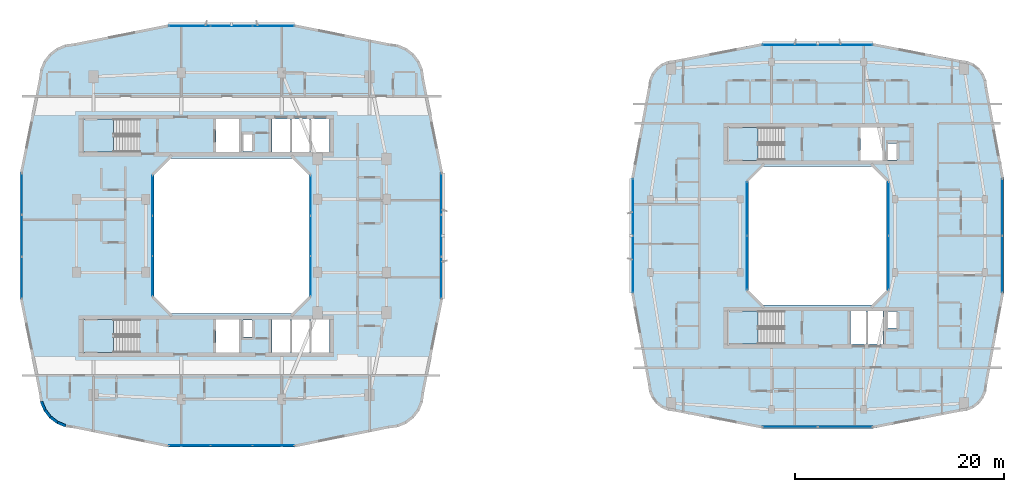
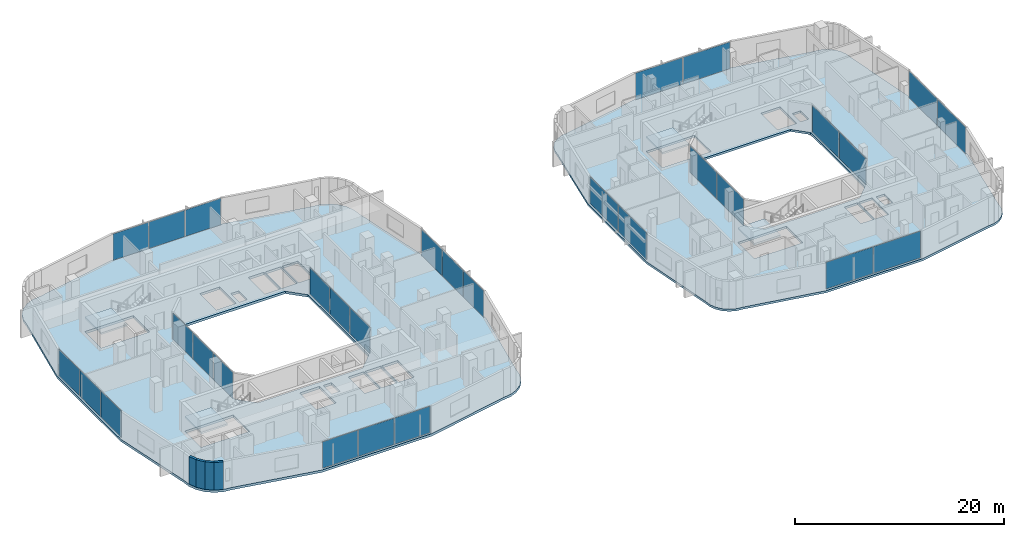
# One storey, part 11 of 26: 30 plates, 6 slabs, 4 walls, 16 elements without a shape of their own.
"""IFC4 building model written with IfcOpenShell, lengths in metres."""

import ifcopenshell
import ifcopenshell.guid

model = None  # the IFC model being written
_history = None  # IfcOwnerHistory: only IFC2X3 demands one
_inside = {}  # id of a spatial element -> (the spatial element, [elements in it])
_under = {}  # id of a project, library or spatial element -> (it, [spatial elements below it])
_declared = {}  # id of a project -> (the project, [libraries it declares])
_typed = {}  # id of a type object -> (the type object, [elements of that type])
_made_of = {}  # id of a material, layer set ... -> (it, [elements and type objects made of it])


def new_model(schema):
    """Start an empty IFC model of exactly this schema.

    Asked for "IFC4X3", IfcOpenShell would pick the latest addendum, in which some entities
    have other attributes; the version numbers below select the first issue.
    IFC2X3 requires an IfcOwnerHistory on every rooted entity: one is made here for all.
    """
    global model, _history
    if schema == "IFC4X3":
        model = ifcopenshell.file(schema_version=(4, 3, 0, 0))
    else:
        model = ifcopenshell.file(schema=schema)
    _inside.clear()
    _under.clear()
    _declared.clear()
    _typed.clear()
    _made_of.clear()
    _history = None
    if model.schema == "IFC2X3":
        org = make("IfcOrganization", Name="unknown")
        user = make(
            "IfcPersonAndOrganization",
            ThePerson=make("IfcPerson", FamilyName="unknown"),
            TheOrganization=org,
        )
        app = make(
            "IfcApplication",
            ApplicationDeveloper=org,
            Version="unknown",
            ApplicationFullName="unknown",
            ApplicationIdentifier="unknown",
        )
        _history = make(
            "IfcOwnerHistory",
            OwningUser=user,
            OwningApplication=app,
            ChangeAction="ADDED",
            CreationDate=0,
        )
    return model


def make(cls, **values):
    """One entity of the class cls with the attributes given. An attribute that is None is left unset."""
    return model.create_entity(
        cls, **{name: value for name, value in values.items() if value is not None}
    )


def rooted(cls, **values):
    """An entity with a GlobalId (a new one), such as an element, a storey or a relation."""
    return make(cls, GlobalId=ifcopenshell.guid.new(), OwnerHistory=_history, **values)


def si_unit(unit_type, name, prefix=None):
    """IfcSIUnit, for example si_unit("LENGTHUNIT", "METRE", prefix="MILLI")."""
    return make("IfcSIUnit", UnitType=unit_type, Prefix=prefix, Name=name)


def derived_unit(unit_type, elements):
    """IfcDerivedUnit: a product of units, each with its exponent."""
    return make(
        "IfcDerivedUnit",
        Elements=[
            make("IfcDerivedUnitElement", Unit=unit, Exponent=power)
            for unit, power in elements
        ],
        UnitType=unit_type,
    )


def assignment(units):
    """IfcUnitAssignment: the units of a project."""
    return None if units is None else make("IfcUnitAssignment", Units=units)


def point(xyz):
    """IfcCartesianPoint."""
    return None if xyz is None else make("IfcCartesianPoint", Coordinates=xyz)


def direction(xyz):
    """IfcDirection."""
    return None if xyz is None else make("IfcDirection", DirectionRatios=xyz)


def frame(location, z_axis=None, x_axis=None):
    """IfcAxis2Placement3D, a coordinate frame: its origin and axes. An axis left out is left unset."""
    return make(
        "IfcAxis2Placement3D",
        Location=point(location),
        Axis=direction(z_axis),
        RefDirection=direction(x_axis),
    )


def frame_2d(location, x_axis=None):
    """IfcAxis2Placement2D, a coordinate frame in the plane: its origin and x axis."""
    return make(
        "IfcAxis2Placement2D", Location=point(location), RefDirection=direction(x_axis)
    )


def origin():
    """The frame at (0, 0, 0) with its axes left unset."""
    return frame((0.0, 0.0, 0.0))


def origin_2d():
    """The frame at (0, 0) in the plane with its x axis left unset."""
    return frame_2d((0.0, 0.0))


def place(relative_to, where):
    """IfcLocalPlacement: puts the frame where relative to a parent placement (None: the world)."""
    return make(
        "IfcLocalPlacement", PlacementRelTo=relative_to, RelativePlacement=where
    )


def context(
    kind, dimensions, precision=None, world=None, true_north=None, identifier=None
):
    """IfcGeometricRepresentationContext, for example the 3D "Model" context."""
    return make(
        "IfcGeometricRepresentationContext",
        ContextIdentifier=identifier,
        ContextType=kind,
        CoordinateSpaceDimension=dimensions,
        Precision=precision,
        WorldCoordinateSystem=world,
        TrueNorth=true_north,
    )


def subcontext(parent, identifier, kind, view, scale=None):
    """IfcGeometricRepresentationSubContext, for example "Body" below "Model"."""
    return make(
        "IfcGeometricRepresentationSubContext",
        ContextIdentifier=identifier,
        ContextType=kind,
        ParentContext=parent,
        TargetScale=scale,
        TargetView=view,
    )


def project(units=None, contexts=None):
    """IfcProject with its units and contexts."""
    return rooted(
        "IfcProject",
        Name="project",
        RepresentationContexts=contexts,
        UnitsInContext=assignment(units),
    )


def spatial(cls, under=None, at=None, **own):
    """A site, building, storey or space (cls), placed at a placement, below another one or the project."""
    s = rooted(cls, ObjectPlacement=at, **own)
    if under is not None:
        _under.setdefault(under.id(), (under, []))[1].append(s)
    return s


def polyline(points):
    """IfcPolyline through the points."""
    return make("IfcPolyline", Points=[point(p) for p in points])


def profile(cls, at=None, kind="AREA", **sizes):
    """A parametric profile (cls). Its sizes go by their IFC names, for example OverallWidth=200.0."""
    return make(cls, ProfileType=kind, Position=at, **sizes)


def rectangle(**sizes):
    """IfcRectangleProfileDef."""
    return profile("IfcRectangleProfileDef", **sizes)


def outline(outer, holes=None, kind="AREA"):
    """IfcArbitraryClosedProfileDef: a profile drawn as a closed curve; with holes, ...WithVoids."""
    if holes is None:
        return make("IfcArbitraryClosedProfileDef", ProfileType=kind, OuterCurve=outer)
    return make(
        "IfcArbitraryProfileDefWithVoids",
        ProfileType=kind,
        OuterCurve=outer,
        InnerCurves=holes,
    )


def extrude(swept, where, along, depth):
    """IfcExtrudedAreaSolid: the profile swept, set in the frame where, extruded along a direction by depth."""
    return make(
        "IfcExtrudedAreaSolid",
        SweptArea=swept,
        Position=where,
        ExtrudedDirection=direction(along),
        Depth=depth,
    )


def shape(context_of_items, identifier, shape_type, items):
    """IfcShapeRepresentation: the items that make up one representation, for example the "Body"."""
    return make(
        "IfcShapeRepresentation",
        ContextOfItems=context_of_items,
        RepresentationIdentifier=identifier,
        RepresentationType=shape_type,
        Items=items,
    )


def material(Name=None, Category=None):
    """IfcMaterial."""
    return make("IfcMaterial", Name=Name, Category=Category)


def layer(
    of_material, thickness, ventilated=None, Name=None, Category=None, Priority=None
):
    """IfcMaterialLayer: one layer of a wall or slab, of a material (None: an air gap)."""
    return make(
        "IfcMaterialLayer",
        Material=of_material,
        LayerThickness=thickness,
        IsVentilated=ventilated,
        Name=Name,
        Category=Category,
        Priority=Priority,
    )


def layer_set(layers, Name=None):
    """IfcMaterialLayerSet."""
    return make("IfcMaterialLayerSet", MaterialLayers=layers, LayerSetName=Name)


def made_of(thing, what):
    """Note that an element or type object is made of a material, layer set ...; save() writes the relation."""
    if what is not None:
        _made_of.setdefault(what.id(), (what, []))[1].append(thing)
    return thing


def type_object(cls, material=None, **own):
    """A type object (cls), such as IfcWallType, which elements share."""
    return made_of(rooted(cls, **own), material)


def element(
    cls,
    number,
    at=None,
    inside=None,
    cuts=None,
    type_object=None,
    material=None,
    context=None,
    identifier="Body",
    shape_type=None,
    held_by="IfcProductDefinitionShape",
    body=None,
    shapes=None,
    **own,
):
    """One element of the class cls, such as IfcWall. Its Tag is "e" and its number.

    at: its placement. inside: the storey or other place that contains it. cuts: it is an
    opening in that element (IfcRelVoidsElement). A single representation is given by context,
    identifier, shape_type and body (its items); several are given by shapes. held_by: the class
    of the entity that holds the representations. save() writes the other relations.
    """
    e = rooted(cls, Tag="e%d" % number, ObjectPlacement=at, **own)
    if body is not None:
        shapes = [shape(context, identifier, shape_type, body)]
    if shapes is not None:
        e.Representation = make(held_by, Representations=shapes)
    if inside is not None:
        _inside.setdefault(inside.id(), (inside, []))[1].append(e)
    if cuts is not None:
        rooted(
            "IfcRelVoidsElement", RelatingBuildingElement=cuts, RelatedOpeningElement=e
        )
    if type_object is not None:
        _typed.setdefault(type_object.id(), (type_object, []))[1].append(e)
    return made_of(e, material)


def aggregate(whole, parts):
    """IfcRelAggregates: a whole, such as a stair, and the parts it consists of."""
    return rooted("IfcRelAggregates", RelatingObject=whole, RelatedObjects=parts)


def save(model, path):
    """Write the relations noted so far, then the file.

    IfcRelAggregates (storeys below a building ...), IfcRelContainedInSpatialStructure (elements
    in a storey), IfcRelDefinesByType, IfcRelAssociatesMaterial and IfcRelDeclares: one each for
    every whole, place, type object, material and project.
    """
    for whole, parts in _under.values():
        aggregate(whole, parts)
    for where, things in _inside.values():
        rooted(
            "IfcRelContainedInSpatialStructure",
            RelatedElements=things,
            RelatingStructure=where,
        )
    for kind, things in _typed.values():
        rooted("IfcRelDefinesByType", RelatedObjects=things, RelatingType=kind)
    for what, things in _made_of.values():
        rooted("IfcRelAssociatesMaterial", RelatedObjects=things, RelatingMaterial=what)
    for by, libraries in _declared.values():
        rooted("IfcRelDeclares", RelatingContext=by, RelatedDefinitions=libraries)
    model.write(path)


model = new_model("IFC4")

# Units and contexts
model_context = context("Model", 3, precision=1e-05, world=origin(), true_north=direction((0.0, 1.0)))
body_context = subcontext(model_context, "Body", "Model", "MODEL_VIEW")
ifc_project = project(units=[si_unit("LENGTHUNIT", "METRE"), si_unit("AREAUNIT", "SQUARE_METRE"), si_unit("VOLUMEUNIT", "CUBIC_METRE"), si_unit("PLANEANGLEUNIT", "RADIAN"), si_unit("MASSUNIT", "GRAM", prefix="KILO"), derived_unit("THERMALTRANSMITTANCEUNIT", [(si_unit("POWERUNIT", "WATT"), 1), (si_unit("LENGTHUNIT", "METRE"), -2), (si_unit("THERMODYNAMICTEMPERATUREUNIT", "KELVIN"), -1)])], contexts=[model_context])

# Site, building, storey
site_placement = place(None, origin())
site = spatial("IfcSite", under=ifc_project, at=site_placement, CompositionType="ELEMENT")
building_placement = place(site_placement, origin())
building = spatial("IfcBuilding", under=site, at=building_placement, Name="Kivonza Crest Hotel", CompositionType="ELEMENT")
storey_placement = place(building_placement, frame((0.0, 0.0, 102.0)))
storey = spatial("IfcBuildingStorey", under=building, at=storey_placement, Name="L27", CompositionType="ELEMENT", Elevation=102.0)

# Curtain wall, plates
ifc_material_1 = material(Name="Anodised bronze aluminium and low-E double glazing", Category="aluminium")
ifc_layer_1 = layer(ifc_material_1, 0.179931640625)
ifc_layer_set_1 = layer_set([ifc_layer_1], Name="Anodised bronze aluminium and low-E double glazing")
curtain_wall_type_1 = type_object("IfcCurtainWallType", Name="CW-SYS-2", PredefinedType="NOTDEFINED", material=ifc_layer_set_1)
curtain_wall_1_placement = place(storey_placement, origin())
curtain_wall_1 = element("IfcCurtainWall", 1, at=curtain_wall_1_placement, inside=storey, type_object=curtain_wall_type_1, Name="L27 unitised curtain wall CW-T1-L27-08", PredefinedType="NOTDEFINED")
ifc_material_2 = material(Name="Solar-control low-E double glazing", Category="glass")
ifc_layer_2 = layer(ifc_material_2, 0.028076171875)
ifc_layer_set_2 = layer_set([ifc_layer_2], Name="Solar-control low-E double glazing")
plate_type = type_object("IfcPlateType", Name="CW-PNL-28", PredefinedType="CURTAIN_PANEL", material=ifc_layer_set_2)
plate_1_placement = place(storey_placement, frame((17.0029296875, 4.9599609375, 0.06494140625), z_axis=(0.0, 0.0, 1.0), x_axis=(1.0, 0.0, 0.0)))
plate_1 = element("IfcPlate", 2, at=plate_1_placement, type_object=plate_type, Name="CW-2 panel 1.1", PredefinedType="CURTAIN_PANEL", context=body_context, shape_type="SweptSolid", body=[
    extrude(rectangle(XDim=3.915771484375, YDim=0.028076171875, at=origin_2d()), origin(), (0.0, 0.0, 1.0), 3.090087890625),
])
plate_2_placement = place(storey_placement, frame((21.0, 4.9599609375, 0.06494140625), z_axis=(0.0, 0.0, 1.0), x_axis=(1.0, 0.0, 0.0)))
plate_2 = element("IfcPlate", 3, at=plate_2_placement, type_object=plate_type, Name="CW-2 panel 2.1", PredefinedType="CURTAIN_PANEL", context=body_context, shape_type="SweptSolid", body=[
    extrude(rectangle(XDim=3.9482421875, YDim=0.028076171875, at=origin_2d()), origin(), (0.0, 0.0, 1.0), 3.090087890625),
])
plate_3_placement = place(storey_placement, frame((24.9970703125, 4.9599609375, 0.06494140625), z_axis=(0.0, 0.0, 1.0), x_axis=(1.0, 0.0, 0.0)))
plate_3 = element("IfcPlate", 4, at=plate_3_placement, type_object=plate_type, Name="CW-2 panel 3.1", PredefinedType="CURTAIN_PANEL", context=body_context, shape_type="SweptSolid", body=[
    extrude(rectangle(XDim=3.915771484375, YDim=0.028076171875, at=origin_2d()), origin(), (0.0, 0.0, 1.0), 3.090087890625),
])
aggregate(curtain_wall_1, [plate_1, plate_2, plate_3])

curtain_wall_2_placement = place(storey_placement, origin())
curtain_wall_2 = element("IfcCurtainWall", 5, at=curtain_wall_2_placement, inside=storey, type_object=curtain_wall_type_1, Name="L27 unitised curtain wall CW-T1-L27-17", PredefinedType="NOTDEFINED")
plate_4_placement = place(storey_placement, frame((41.0400390625, 21.0029296875, 0.06494140625), z_axis=(0.0, 0.0, 1.0), x_axis=(0.0, 1.0, 0.0)))
plate_4 = element("IfcPlate", 6, at=plate_4_placement, type_object=plate_type, Name="CW-2 panel 1.1", PredefinedType="CURTAIN_PANEL", context=body_context, shape_type="SweptSolid", body=[
    extrude(rectangle(XDim=3.915771484375, YDim=0.028076171875, at=origin_2d()), origin(), (0.0, 0.0, 1.0), 3.090087890625),
])
plate_5_placement = place(storey_placement, frame((41.0400390625, 25.0, 0.06494140625), z_axis=(0.0, 0.0, 1.0), x_axis=(0.0, 1.0, 0.0)))
plate_5 = element("IfcPlate", 7, at=plate_5_placement, type_object=plate_type, Name="CW-2 panel 2.1", PredefinedType="CURTAIN_PANEL", context=body_context, shape_type="SweptSolid", body=[
    extrude(rectangle(XDim=3.9482421875, YDim=0.028076171875, at=origin_2d()), origin(), (0.0, 0.0, 1.0), 3.090087890625),
])
plate_6_placement = place(storey_placement, frame((41.0400390625, 28.9970703125, 0.06494140625), z_axis=(0.0, 0.0, 1.0), x_axis=(0.0, 1.0, 0.0)))
plate_6 = element("IfcPlate", 8, at=plate_6_placement, type_object=plate_type, Name="CW-2 panel 3.1", PredefinedType="CURTAIN_PANEL", context=body_context, shape_type="SweptSolid", body=[
    extrude(rectangle(XDim=3.915771484375, YDim=0.028076171875, at=origin_2d()), origin(), (0.0, 0.0, 1.0), 3.090087890625),
])
aggregate(curtain_wall_2, [plate_4, plate_5, plate_6])

curtain_wall_3_placement = place(storey_placement, origin())
curtain_wall_3 = element("IfcCurtainWall", 9, at=curtain_wall_3_placement, inside=storey, type_object=curtain_wall_type_1, Name="L27 unitised curtain wall CW-T1-L27-26", PredefinedType="NOTDEFINED")
plate_7_placement = place(storey_placement, frame((24.9970703125, 45.0400390625, 0.06494140625), z_axis=(0.0, 0.0, 1.0), x_axis=(-1.0, 0.0, 0.0)))
plate_7 = element("IfcPlate", 10, at=plate_7_placement, type_object=plate_type, Name="CW-2 panel 1.1", PredefinedType="CURTAIN_PANEL", context=body_context, shape_type="SweptSolid", body=[
    extrude(rectangle(XDim=3.915771484375, YDim=0.028076171875, at=origin_2d()), origin(), (0.0, 0.0, 1.0), 3.090087890625),
])
plate_8_placement = place(storey_placement, frame((21.0, 45.0400390625, 0.06494140625), z_axis=(0.0, 0.0, 1.0), x_axis=(-1.0, 0.0, 0.0)))
plate_8 = element("IfcPlate", 11, at=plate_8_placement, type_object=plate_type, Name="CW-2 panel 2.1", PredefinedType="CURTAIN_PANEL", context=body_context, shape_type="SweptSolid", body=[
    extrude(rectangle(XDim=3.9482421875, YDim=0.028076171875, at=origin_2d()), origin(), (0.0, 0.0, 1.0), 3.090087890625),
])
plate_9_placement = place(storey_placement, frame((17.0029296875, 45.0400390625, 0.06494140625), z_axis=(0.0, 0.0, 1.0), x_axis=(-1.0, 0.0, 0.0)))
plate_9 = element("IfcPlate", 12, at=plate_9_placement, type_object=plate_type, Name="CW-2 panel 3.1", PredefinedType="CURTAIN_PANEL", context=body_context, shape_type="SweptSolid", body=[
    extrude(rectangle(XDim=3.915771484375, YDim=0.028076171875, at=origin_2d()), origin(), (0.0, 0.0, 1.0), 3.090087890625),
])
aggregate(curtain_wall_3, [plate_7, plate_8, plate_9])

curtain_wall_4_placement = place(storey_placement, origin())
curtain_wall_4 = element("IfcCurtainWall", 13, at=curtain_wall_4_placement, inside=storey, type_object=curtain_wall_type_1, Name="L27 unitised curtain wall CW-T1-L27-35", PredefinedType="NOTDEFINED")
plate_10_placement = place(storey_placement, frame((0.9599609375, 28.9970703125, 0.06494140625), z_axis=(0.0, 0.0, 1.0), x_axis=(0.0, -1.0, 0.0)))
plate_10 = element("IfcPlate", 14, at=plate_10_placement, type_object=plate_type, Name="CW-2 panel 1.1", PredefinedType="CURTAIN_PANEL", context=body_context, shape_type="SweptSolid", body=[
    extrude(rectangle(XDim=3.915771484375, YDim=0.028076171875, at=origin_2d()), origin(), (0.0, 0.0, 1.0), 3.090087890625),
])
plate_11_placement = place(storey_placement, frame((0.9599609375, 25.0, 0.06494140625), z_axis=(0.0, 0.0, 1.0), x_axis=(0.0, -1.0, 0.0)))
plate_11 = element("IfcPlate", 15, at=plate_11_placement, type_object=plate_type, Name="CW-2 panel 2.1", PredefinedType="CURTAIN_PANEL", context=body_context, shape_type="SweptSolid", body=[
    extrude(rectangle(XDim=3.9482421875, YDim=0.028076171875, at=origin_2d()), origin(), (0.0, 0.0, 1.0), 3.090087890625),
])
plate_12_placement = place(storey_placement, frame((0.9599609375, 21.0029296875, 0.06494140625), z_axis=(0.0, 0.0, 1.0), x_axis=(0.0, -1.0, 0.0)))
plate_12 = element("IfcPlate", 16, at=plate_12_placement, type_object=plate_type, Name="CW-2 panel 3.1", PredefinedType="CURTAIN_PANEL", context=body_context, shape_type="SweptSolid", body=[
    extrude(rectangle(XDim=3.915771484375, YDim=0.028076171875, at=origin_2d()), origin(), (0.0, 0.0, 1.0), 3.090087890625),
])
aggregate(curtain_wall_4, [plate_10, plate_11, plate_12])

ifc_layer_3 = layer(ifc_material_1, 0.159912109375)
ifc_layer_set_3 = layer_set([ifc_layer_3], Name="Anodised bronze aluminium and low-E double glazing")
curtain_wall_type_2 = type_object("IfcCurtainWallType", Name="CW-SYS-5", PredefinedType="NOTDEFINED", material=ifc_layer_set_3)
curtain_wall_5_placement = place(storey_placement, origin())
curtain_wall_5 = element("IfcCurtainWall", 17, at=curtain_wall_5_placement, inside=storey, type_object=curtain_wall_type_2, Name="L27 unitised curtain wall CW-WELL-T1-L27-3", PredefinedType="NOTDEFINED")
plate_13_placement = place(storey_placement, frame((28.56005859375, 21.149658203125, 0.06494140625), z_axis=(0.0, 0.0, 1.0), x_axis=(0.0, 1.0, 0.0)))
plate_13 = element("IfcPlate", 18, at=plate_13_placement, type_object=plate_type, Name="CW-5 panel 1.1", PredefinedType="CURTAIN_PANEL", context=body_context, shape_type="SweptSolid", body=[
    extrude(rectangle(XDim=3.769287109375, YDim=0.028076171875, at=origin_2d()), origin(), (0.0, 0.0, 1.0), 3.090087890625),
])
plate_14_placement = place(storey_placement, frame((28.56005859375, 25.0, 0.06494140625), z_axis=(0.0, 0.0, 1.0), x_axis=(0.0, 1.0, 0.0)))
plate_14 = element("IfcPlate", 19, at=plate_14_placement, type_object=plate_type, Name="CW-5 panel 2.1", PredefinedType="CURTAIN_PANEL", context=body_context, shape_type="SweptSolid", body=[
    extrude(rectangle(XDim=3.8017578125, YDim=0.028076171875, at=origin_2d()), origin(), (0.0, 0.0, 1.0), 3.090087890625),
])
plate_15_placement = place(storey_placement, frame((28.56005859375, 28.850341796875, 0.06494140625), z_axis=(0.0, 0.0, 1.0), x_axis=(0.0, 1.0, 0.0)))
plate_15 = element("IfcPlate", 20, at=plate_15_placement, type_object=plate_type, Name="CW-5 panel 3.1", PredefinedType="CURTAIN_PANEL", context=body_context, shape_type="SweptSolid", body=[
    extrude(rectangle(XDim=3.769287109375, YDim=0.028076171875, at=origin_2d()), origin(), (0.0, 0.0, 1.0), 3.090087890625),
])
aggregate(curtain_wall_5, [plate_13, plate_14, plate_15])

curtain_wall_6_placement = place(storey_placement, origin())
curtain_wall_6 = element("IfcCurtainWall", 21, at=curtain_wall_6_placement, inside=storey, type_object=curtain_wall_type_2, Name="L27 unitised curtain wall CW-WELL-T1-L27-7", PredefinedType="NOTDEFINED")
plate_16_placement = place(storey_placement, frame((13.43994140625, 28.850341796875, 0.06494140625), z_axis=(0.0, 0.0, 1.0), x_axis=(0.0, -1.0, 0.0)))
plate_16 = element("IfcPlate", 22, at=plate_16_placement, type_object=plate_type, Name="CW-5 panel 1.1", PredefinedType="CURTAIN_PANEL", context=body_context, shape_type="SweptSolid", body=[
    extrude(rectangle(XDim=3.769287109375, YDim=0.028076171875, at=origin_2d()), origin(), (0.0, 0.0, 1.0), 3.090087890625),
])
plate_17_placement = place(storey_placement, frame((13.43994140625, 25.0, 0.06494140625), z_axis=(0.0, 0.0, 1.0), x_axis=(0.0, -1.0, 0.0)))
plate_17 = element("IfcPlate", 23, at=plate_17_placement, type_object=plate_type, Name="CW-5 panel 2.1", PredefinedType="CURTAIN_PANEL", context=body_context, shape_type="SweptSolid", body=[
    extrude(rectangle(XDim=3.8017578125, YDim=0.028076171875, at=origin_2d()), origin(), (0.0, 0.0, 1.0), 3.090087890625),
])
plate_18_placement = place(storey_placement, frame((13.43994140625, 21.149658203125, 0.06494140625), z_axis=(0.0, 0.0, 1.0), x_axis=(0.0, -1.0, 0.0)))
plate_18 = element("IfcPlate", 24, at=plate_18_placement, type_object=plate_type, Name="CW-5 panel 3.1", PredefinedType="CURTAIN_PANEL", context=body_context, shape_type="SweptSolid", body=[
    extrude(rectangle(XDim=3.769287109375, YDim=0.028076171875, at=origin_2d()), origin(), (0.0, 0.0, 1.0), 3.090087890625),
])
aggregate(curtain_wall_6, [plate_16, plate_17, plate_18])

ifc_layer_4 = layer(ifc_material_1, 0.179931640625)
ifc_layer_set_4 = layer_set([ifc_layer_4], Name="Anodised bronze aluminium and low-E double glazing")
curtain_wall_type_3 = type_object("IfcCurtainWallType", Name="CW-SYS-4", PredefinedType="NOTDEFINED", material=ifc_layer_set_4)
curtain_wall_7_placement = place(storey_placement, origin())
curtain_wall_7 = element("IfcCurtainWall", 25, at=curtain_wall_7_placement, inside=storey, type_object=curtain_wall_type_3, Name="L27 unitised curtain wall CW-T2-L27-08", PredefinedType="NOTDEFINED")
plate_19_placement = place(storey_placement, frame((74.3662109375, 6.760009765625, 0.06494140625), z_axis=(0.0, 0.0, 1.0), x_axis=(1.0, 0.0, 0.0)))
plate_19 = element("IfcPlate", 26, at=plate_19_placement, type_object=plate_type, Name="CW-4 panel 1.1", PredefinedType="CURTAIN_PANEL", context=body_context, shape_type="SweptSolid", body=[
    extrude(rectangle(XDim=5.202392578125, YDim=0.028076171875, at=origin_2d()), origin(), (0.0, 0.0, 1.0), 3.1201171875),
])
plate_20_placement = place(storey_placement, frame((79.6337890625, 6.760009765625, 0.06494140625), z_axis=(0.0, 0.0, 1.0), x_axis=(1.0, 0.0, 0.0)))
plate_20 = element("IfcPlate", 27, at=plate_20_placement, type_object=plate_type, Name="CW-4 panel 2.1", PredefinedType="CURTAIN_PANEL", context=body_context, shape_type="SweptSolid", body=[
    extrude(rectangle(XDim=5.202392578125, YDim=0.028076171875, at=origin_2d()), origin(), (0.0, 0.0, 1.0), 3.1201171875),
])
aggregate(curtain_wall_7, [plate_19, plate_20])

curtain_wall_8_placement = place(storey_placement, origin())
curtain_wall_8 = element("IfcCurtainWall", 28, at=curtain_wall_8_placement, inside=storey, type_object=curtain_wall_type_3, Name="L27 unitised curtain wall CW-T2-L27-17", PredefinedType="NOTDEFINED")
plate_21_placement = place(storey_placement, frame((94.639892578125, 22.2763671875, 0.06494140625), z_axis=(0.0, 0.0, 1.0), x_axis=(0.0, 1.0, 0.0)))
plate_21 = element("IfcPlate", 29, at=plate_21_placement, type_object=plate_type, Name="CW-4 panel 1.1", PredefinedType="CURTAIN_PANEL", context=body_context, shape_type="SweptSolid", body=[
    extrude(rectangle(XDim=5.382568359375, YDim=0.028076171875, at=origin_2d()), origin(), (0.0, 0.0, 1.0), 3.1201171875),
])
plate_22_placement = place(storey_placement, frame((94.639892578125, 27.7236328125, 0.06494140625), z_axis=(0.0, 0.0, 1.0), x_axis=(0.0, 1.0, 0.0)))
plate_22 = element("IfcPlate", 30, at=plate_22_placement, type_object=plate_type, Name="CW-4 panel 2.1", PredefinedType="CURTAIN_PANEL", context=body_context, shape_type="SweptSolid", body=[
    extrude(rectangle(XDim=5.382568359375, YDim=0.028076171875, at=origin_2d()), origin(), (0.0, 0.0, 1.0), 3.1201171875),
])
aggregate(curtain_wall_8, [plate_21, plate_22])

curtain_wall_9_placement = place(storey_placement, origin())
curtain_wall_9 = element("IfcCurtainWall", 31, at=curtain_wall_9_placement, inside=storey, type_object=curtain_wall_type_3, Name="L27 unitised curtain wall CW-T2-L27-26", PredefinedType="NOTDEFINED")
plate_23_placement = place(storey_placement, frame((79.6337890625, 43.239990234375, 0.06494140625), z_axis=(0.0, 0.0, 1.0), x_axis=(-1.0, 0.0, 0.0)))
plate_23 = element("IfcPlate", 32, at=plate_23_placement, type_object=plate_type, Name="CW-4 panel 1.1", PredefinedType="CURTAIN_PANEL", context=body_context, shape_type="SweptSolid", body=[
    extrude(rectangle(XDim=5.202392578125, YDim=0.028076171875, at=origin_2d()), origin(), (0.0, 0.0, 1.0), 3.1201171875),
])
plate_24_placement = place(storey_placement, frame((74.3662109375, 43.239990234375, 0.06494140625), z_axis=(0.0, 0.0, 1.0), x_axis=(-1.0, 0.0, 0.0)))
plate_24 = element("IfcPlate", 33, at=plate_24_placement, type_object=plate_type, Name="CW-4 panel 2.1", PredefinedType="CURTAIN_PANEL", context=body_context, shape_type="SweptSolid", body=[
    extrude(rectangle(XDim=5.202392578125, YDim=0.028076171875, at=origin_2d()), origin(), (0.0, 0.0, 1.0), 3.1201171875),
])
aggregate(curtain_wall_9, [plate_23, plate_24])

curtain_wall_10_placement = place(storey_placement, origin())
curtain_wall_10 = element("IfcCurtainWall", 34, at=curtain_wall_10_placement, inside=storey, type_object=curtain_wall_type_3, Name="L27 unitised curtain wall CW-T2-L27-35", PredefinedType="NOTDEFINED")
plate_25_placement = place(storey_placement, frame((59.360107421875, 27.7236328125, 0.06494140625), z_axis=(0.0, 0.0, 1.0), x_axis=(0.0, -1.0, 0.0)))
plate_25 = element("IfcPlate", 35, at=plate_25_placement, type_object=plate_type, Name="CW-4 panel 1.1", PredefinedType="CURTAIN_PANEL", context=body_context, shape_type="SweptSolid", body=[
    extrude(rectangle(XDim=5.382568359375, YDim=0.028076171875, at=origin_2d()), origin(), (0.0, 0.0, 1.0), 3.1201171875),
])
plate_26_placement = place(storey_placement, frame((59.360107421875, 22.2763671875, 0.06494140625), z_axis=(0.0, 0.0, 1.0), x_axis=(0.0, -1.0, 0.0)))
plate_26 = element("IfcPlate", 36, at=plate_26_placement, type_object=plate_type, Name="CW-4 panel 2.1", PredefinedType="CURTAIN_PANEL", context=body_context, shape_type="SweptSolid", body=[
    extrude(rectangle(XDim=5.382568359375, YDim=0.028076171875, at=origin_2d()), origin(), (0.0, 0.0, 1.0), 3.1201171875),
])
aggregate(curtain_wall_10, [plate_25, plate_26])

curtain_wall_11_placement = place(storey_placement, origin())
curtain_wall_11 = element("IfcCurtainWall", 37, at=curtain_wall_11_placement, inside=storey, type_object=curtain_wall_type_2, Name="L27 unitised curtain wall CW-WELL-T2-L27-3", PredefinedType="NOTDEFINED")
plate_27_placement = place(storey_placement, frame((83.760009765625, 22.416259765625, 0.06494140625), z_axis=(0.0, 0.0, 1.0), x_axis=(0.0, 1.0, 0.0)))
plate_27 = element("IfcPlate", 38, at=plate_27_placement, type_object=plate_type, Name="CW-5 panel 1.1", PredefinedType="CURTAIN_PANEL", context=body_context, shape_type="SweptSolid", body=[
    extrude(rectangle(XDim=5.1025390625, YDim=0.028076171875, at=origin_2d()), origin(), (0.0, 0.0, 1.0), 3.1201171875),
])
plate_28_placement = place(storey_placement, frame((83.760009765625, 27.583740234375, 0.06494140625), z_axis=(0.0, 0.0, 1.0), x_axis=(0.0, 1.0, 0.0)))
plate_28 = element("IfcPlate", 39, at=plate_28_placement, type_object=plate_type, Name="CW-5 panel 2.1", PredefinedType="CURTAIN_PANEL", context=body_context, shape_type="SweptSolid", body=[
    extrude(rectangle(XDim=5.1025390625, YDim=0.028076171875, at=origin_2d()), origin(), (0.0, 0.0, 1.0), 3.1201171875),
])
aggregate(curtain_wall_11, [plate_27, plate_28])

curtain_wall_12_placement = place(storey_placement, origin())
curtain_wall_12 = element("IfcCurtainWall", 40, at=curtain_wall_12_placement, inside=storey, type_object=curtain_wall_type_2, Name="L27 unitised curtain wall CW-WELL-T2-L27-7", PredefinedType="NOTDEFINED")
plate_29_placement = place(storey_placement, frame((70.239990234375, 27.583740234375, 0.06494140625), z_axis=(0.0, 0.0, 1.0), x_axis=(0.0, -1.0, 0.0)))
plate_29 = element("IfcPlate", 41, at=plate_29_placement, type_object=plate_type, Name="CW-5 panel 1.1", PredefinedType="CURTAIN_PANEL", context=body_context, shape_type="SweptSolid", body=[
    extrude(rectangle(XDim=5.1025390625, YDim=0.028076171875, at=origin_2d()), origin(), (0.0, 0.0, 1.0), 3.1201171875),
])
plate_30_placement = place(storey_placement, frame((70.239990234375, 22.416259765625, 0.06494140625), z_axis=(0.0, 0.0, 1.0), x_axis=(0.0, -1.0, 0.0)))
plate_30 = element("IfcPlate", 42, at=plate_30_placement, type_object=plate_type, Name="CW-5 panel 2.1", PredefinedType="CURTAIN_PANEL", context=body_context, shape_type="SweptSolid", body=[
    extrude(rectangle(XDim=5.1025390625, YDim=0.028076171875, at=origin_2d()), origin(), (0.0, 0.0, 1.0), 3.1201171875),
])
aggregate(curtain_wall_12, [plate_29, plate_30])

# Slab
ifc_material_3 = material(Name="Concrete C40/50", Category="concrete")
ifc_layer_5 = layer(ifc_material_3, 0.280029296875)
ifc_layer_set_5 = layer_set([ifc_layer_5], Name="Concrete C40/50")
slab_type_1 = type_object("IfcSlabType", Name="SL-HTL-280", PredefinedType="FLOOR", material=ifc_layer_set_5)
slab_1_placement = place(storey_placement, frame((0.0, 0.0, -0.280029296875)))
element("IfcSlab", 43, at=slab_1_placement, inside=storey, type_object=slab_type_1, Name="Tower T1 L27 floor slab", PredefinedType="FLOOR", context=body_context, shape_type="SweptSolid", body=[
    extrude(outline(polyline([(2.60009765625, 10.0), (2.716064453125, 9.1201171875), (3.055908203125, 8.300048828125), (3.595947265625, 7.595947265625), (4.300048828125, 7.055908203125), (5.1201171875, 6.716064453125), (6.0, 6.60009765625), (14.93994140625, 4.800048828125), (27.06005859375, 4.800048828125), (36.0, 6.60009765625), (36.8798828125, 6.716064453125), (37.699951171875, 7.055908203125), (38.404052734375, 7.595947265625), (38.944091796875, 8.300048828125), (39.283935546875, 9.1201171875), (39.39990234375, 10.0), (41.199951171875, 18.93994140625), (41.199951171875, 31.06005859375), (39.39990234375, 40.0), (39.283935546875, 40.8798828125), (38.944091796875, 41.699951171875), (38.404052734375, 42.404052734375), (37.699951171875, 42.944091796875), (36.8798828125, 43.283935546875), (36.0, 43.39990234375), (27.06005859375, 45.199951171875), (14.93994140625, 45.199951171875), (6.0, 43.39990234375), (5.1201171875, 43.283935546875), (4.300048828125, 42.944091796875), (3.595947265625, 42.404052734375), (3.055908203125, 41.699951171875), (2.716064453125, 40.8798828125), (2.60009765625, 40.0), (0.800048828125, 31.06005859375), (0.800048828125, 18.93994140625), (2.60009765625, 10.0)]), holes=[polyline([(15.199951171875, 17.60009765625), (26.800048828125, 17.60009765625), (28.39990234375, 19.199951171875), (28.39990234375, 30.800048828125), (26.800048828125, 32.39990234375), (15.199951171875, 32.39990234375), (13.60009765625, 30.800048828125), (13.60009765625, 19.199951171875), (15.199951171875, 17.60009765625)]), polyline([(6.800048828125, 33.02001953125), (12.159912109375, 33.02001953125), (12.159912109375, 36.159912109375), (6.800048828125, 36.159912109375), (6.800048828125, 33.02001953125)]), polyline([(6.800048828125, 13.860107421875), (12.159912109375, 13.860107421875), (12.159912109375, 17.0), (6.800048828125, 17.0), (6.800048828125, 13.860107421875)]), polyline([(22.080078125, 33.0400390625), (22.969970703125, 33.0400390625), (22.969970703125, 34.679931640625), (22.080078125, 34.679931640625), (22.080078125, 33.0400390625)]), polyline([(22.080078125, 15.320068359375), (22.969970703125, 15.320068359375), (22.969970703125, 16.9599609375), (22.080078125, 16.9599609375), (22.080078125, 15.320068359375)]), polyline([(19.5, 33.0), (21.699951171875, 33.0), (21.699951171875, 36.159912109375), (19.5, 36.159912109375), (19.5, 33.0)]), polyline([(24.860107421875, 33.0), (26.60693359375, 33.0), (26.60693359375, 36.159912109375), (24.860107421875, 36.159912109375), (24.860107421875, 33.0)]), polyline([(26.72705078125, 33.0), (28.472900390625, 33.0), (28.472900390625, 36.159912109375), (26.72705078125, 36.159912109375), (26.72705078125, 33.0)]), polyline([(28.593017578125, 33.0), (30.340087890625, 33.0), (30.340087890625, 36.159912109375), (28.593017578125, 36.159912109375), (28.593017578125, 33.0)]), polyline([(19.5, 13.840087890625), (21.699951171875, 13.840087890625), (21.699951171875, 17.0), (19.5, 17.0), (19.5, 13.840087890625)]), polyline([(24.860107421875, 13.840087890625), (26.60693359375, 13.840087890625), (26.60693359375, 17.0), (24.860107421875, 17.0), (24.860107421875, 13.840087890625)]), polyline([(26.72705078125, 13.840087890625), (28.472900390625, 13.840087890625), (28.472900390625, 17.0), (26.72705078125, 17.0), (26.72705078125, 13.840087890625)]), polyline([(28.593017578125, 13.840087890625), (30.340087890625, 13.840087890625), (30.340087890625, 17.0), (28.593017578125, 17.0), (28.593017578125, 13.840087890625)])]), origin(), (0.0, 0.0, 1.0), 0.280029296875),
])

# Stair, slab
stair_type = type_object("IfcStairType", Name="ST-DL-20R", PredefinedType="HALF_TURN_STAIR", material=ifc_material_3)
stair_1_placement = place(storey_placement, origin())
stair_1 = element("IfcStair", 44, at=stair_1_placement, inside=storey, type_object=stair_type, Name="L27 Protected Exit Stair ST-T1-N", PredefinedType="HALF_TURN_STAIR")
ifc_layer_6 = layer(ifc_material_3, 0.199951171875)
ifc_layer_set_6 = layer_set([ifc_layer_6], Name="Concrete C40/50")
slab_type_2 = type_object("IfcSlabType", Name="SL-LAND-200", PredefinedType="LANDING", material=ifc_layer_set_6)
slab_2_placement = place(storey_placement, frame((0.0, 0.0, 1.550048828125)))
slab_2 = element("IfcSlab", 45, at=slab_2_placement, type_object=slab_type_2, Name="ST-T1-N landing 1", PredefinedType="LANDING", context=body_context, shape_type="SweptSolid", body=[
    extrude(outline(polyline([(9.719970703125, 36.159912109375), (6.800048828125, 36.159912109375), (6.800048828125, 33.02001953125), (9.719970703125, 33.02001953125), (9.719970703125, 36.159912109375)])), origin(), (0.0, 0.0, 1.0), 0.199951171875),
])
aggregate(stair_1, [slab_2])

stair_2_placement = place(storey_placement, origin())
stair_2 = element("IfcStair", 46, at=stair_2_placement, inside=storey, type_object=stair_type, Name="L27 Protected Exit Stair ST-T1-S", PredefinedType="HALF_TURN_STAIR")
slab_3_placement = place(storey_placement, frame((0.0, 0.0, 1.550048828125)))
slab_3 = element("IfcSlab", 47, at=slab_3_placement, type_object=slab_type_2, Name="ST-T1-S landing 1", PredefinedType="LANDING", context=body_context, shape_type="SweptSolid", body=[
    extrude(outline(polyline([(9.719970703125, 17.0), (6.800048828125, 17.0), (6.800048828125, 13.860107421875), (9.719970703125, 13.860107421875), (9.719970703125, 17.0)])), origin(), (0.0, 0.0, 1.0), 0.199951171875),
])
aggregate(stair_2, [slab_3])

stair_3_placement = place(storey_placement, origin())
stair_3 = element("IfcStair", 48, at=stair_3_placement, inside=storey, type_object=stair_type, Name="L27 Protected Exit Stair ST-T2-N", PredefinedType="HALF_TURN_STAIR")
slab_4_placement = place(storey_placement, frame((0.0, 0.0, 1.550048828125)))
slab_4 = element("IfcSlab", 49, at=slab_4_placement, type_object=slab_type_2, Name="ST-T2-N landing 1", PredefinedType="LANDING", context=body_context, shape_type="SweptSolid", body=[
    extrude(outline(polyline([(71.320068359375, 35.360107421875), (68.39990234375, 35.360107421875), (68.39990234375, 32.219970703125), (71.320068359375, 32.219970703125), (71.320068359375, 35.360107421875)])), origin(), (0.0, 0.0, 1.0), 0.199951171875),
])
aggregate(stair_3, [slab_4])

stair_4_placement = place(storey_placement, origin())
stair_4 = element("IfcStair", 50, at=stair_4_placement, inside=storey, type_object=stair_type, Name="L27 Protected Exit Stair ST-T2-S", PredefinedType="HALF_TURN_STAIR")
slab_5_placement = place(storey_placement, frame((0.0, 0.0, 1.550048828125)))
slab_5 = element("IfcSlab", 51, at=slab_5_placement, type_object=slab_type_2, Name="ST-T2-S landing 1", PredefinedType="LANDING", context=body_context, shape_type="SweptSolid", body=[
    extrude(outline(polyline([(71.320068359375, 17.800048828125), (68.39990234375, 17.800048828125), (68.39990234375, 14.659912109375), (71.320068359375, 14.659912109375), (71.320068359375, 17.800048828125)])), origin(), (0.0, 0.0, 1.0), 0.199951171875),
])
aggregate(stair_4, [slab_5])

# Slab
ifc_layer_7 = layer(ifc_material_3, 0.25)
ifc_layer_set_7 = layer_set([ifc_layer_7], Name="Concrete C40/50")
slab_type_3 = type_object("IfcSlabType", Name="SL-RES-250", PredefinedType="FLOOR", material=ifc_layer_set_7)
slab_6_placement = place(storey_placement, frame((0.0, 0.0, -0.25)))
element("IfcSlab", 52, at=slab_6_placement, inside=storey, type_object=slab_type_3, Name="Companion Tower T2 L27 floor slab", PredefinedType="FLOOR", context=body_context, shape_type="SweptSolid", body=[
    extrude(outline(polyline([(60.800048828125, 10.800048828125), (60.888916015625, 10.126953125), (61.14794921875, 9.5), (61.56201171875, 8.9619140625), (62.10009765625, 8.548095703125), (62.72705078125, 8.2890625), (63.39990234375, 8.199951171875), (71.659912109375, 6.60009765625), (82.340087890625, 6.60009765625), (90.60009765625, 8.199951171875), (91.27294921875, 8.2890625), (91.89990234375, 8.548095703125), (92.43798828125, 8.9619140625), (92.85205078125, 9.5), (93.111083984375, 10.126953125), (93.199951171875, 10.800048828125), (94.800048828125, 19.47998046875), (94.800048828125, 30.52001953125), (93.199951171875, 39.199951171875), (93.111083984375, 39.873046875), (92.85205078125, 40.5), (92.43798828125, 41.0380859375), (91.89990234375, 41.451904296875), (91.27294921875, 41.7109375), (90.60009765625, 41.800048828125), (82.340087890625, 43.39990234375), (71.659912109375, 43.39990234375), (63.39990234375, 41.800048828125), (62.72705078125, 41.7109375), (62.10009765625, 41.451904296875), (61.56201171875, 41.0380859375), (61.14794921875, 40.5), (60.888916015625, 39.873046875), (60.800048828125, 39.199951171875), (59.199951171875, 30.52001953125), (59.199951171875, 19.47998046875), (60.800048828125, 10.800048828125)]), holes=[polyline([(71.800048828125, 18.39990234375), (82.199951171875, 18.39990234375), (83.60009765625, 19.800048828125), (83.60009765625, 30.199951171875), (82.199951171875, 31.60009765625), (71.800048828125, 31.60009765625), (70.39990234375, 30.199951171875), (70.39990234375, 19.800048828125), (71.800048828125, 18.39990234375)]), polyline([(68.39990234375, 32.219970703125), (73.760009765625, 32.219970703125), (73.760009765625, 35.360107421875), (68.39990234375, 35.360107421875), (68.39990234375, 32.219970703125)]), polyline([(68.39990234375, 14.659912109375), (73.760009765625, 14.659912109375), (73.760009765625, 17.800048828125), (68.39990234375, 17.800048828125), (68.39990234375, 14.659912109375)]), polyline([(83.679931640625, 32.239990234375), (84.570068359375, 32.239990234375), (84.570068359375, 33.820068359375), (83.679931640625, 33.820068359375), (83.679931640625, 32.239990234375)]), polyline([(83.679931640625, 16.179931640625), (84.570068359375, 16.179931640625), (84.570068359375, 17.760009765625), (83.679931640625, 17.760009765625), (83.679931640625, 16.179931640625)]), polyline([(81.10009765625, 32.199951171875), (83.199951171875, 32.199951171875), (83.199951171875, 35.360107421875), (81.10009765625, 35.360107421875), (81.10009765625, 32.199951171875)]), polyline([(80.159912109375, 14.639892578125), (81.639892578125, 14.639892578125), (81.639892578125, 17.800048828125), (80.159912109375, 17.800048828125), (80.159912109375, 14.639892578125)]), polyline([(81.760009765625, 14.639892578125), (83.239990234375, 14.639892578125), (83.239990234375, 17.800048828125), (81.760009765625, 17.800048828125), (81.760009765625, 14.639892578125)])]), origin(), (0.0, 0.0, 1.0), 0.25),
])

# Walls
ifc_material_4 = material(Name="Precast concrete C40/50", Category="concrete")
ifc_layer_8 = layer(ifc_material_4, 0.260009765625)
ifc_layer_set_8 = layer_set([ifc_layer_8], Name="Precast concrete C40/50")
wall_type = type_object("IfcWallType", Name="WL-EXT-260", PredefinedType="STANDARD", material=ifc_layer_set_8)
wall_1_placement = place(storey_placement, frame((2.825927734375, 9.193115234375, 0.0), z_axis=(0.0, 0.0, 1.0), x_axis=(0.383290660547, -0.923627776508, 0.0)))
element("IfcWall", 53, at=wall_1_placement, inside=storey, type_object=wall_type, Name="L27 T1 exterior insulated wall 2", PredefinedType="STANDARD", context=body_context, shape_type="SweptSolid", body=[
    extrude(rectangle(XDim=0.9033203125, YDim=0.260009765625, at=frame_2d((0.45166015625, 0.0))), origin(), (0.0, 0.0, 1.0), 3.219970703125),
])
wall_2_placement = place(storey_placement, frame((3.14404296875, 8.39892578125, 0.0), z_axis=(0.0, 0.0, 1.0), x_axis=(0.608624690463, -0.793458244748, 0.0)))
element("IfcWall", 54, at=wall_2_placement, inside=storey, type_object=wall_type, Name="L27 T1 exterior insulated wall 3", PredefinedType="STANDARD", context=body_context, shape_type="SweptSolid", body=[
    extrude(rectangle(XDim=0.902099609375, YDim=0.260009765625, at=frame_2d((0.451171875, 0.0))), origin(), (0.0, 0.0, 1.0), 3.219970703125),
])
wall_3_placement = place(storey_placement, frame((3.655029296875, 7.714111328125, 0.0), z_axis=(0.0, 0.0, 1.0), x_axis=(0.793558456666, -0.608494022858, 0.0)))
element("IfcWall", 55, at=wall_3_placement, inside=storey, type_object=wall_type, Name="L27 T1 exterior insulated wall 4", PredefinedType="STANDARD", context=body_context, shape_type="SweptSolid", body=[
    extrude(rectangle(XDim=0.90234375, YDim=0.260009765625, at=frame_2d((0.451171875, 0.0))), origin(), (0.0, 0.0, 1.0), 3.219970703125),
])
wall_4_placement = place(storey_placement, frame((4.326904296875, 7.18603515625, 0.0), z_axis=(0.0, 0.0, 1.0), x_axis=(0.923683767999, -0.383155708213, 0.0)))
element("IfcWall", 56, at=wall_4_placement, inside=storey, type_object=wall_type, Name="L27 T1 exterior insulated wall 5", PredefinedType="STANDARD", context=body_context, shape_type="SweptSolid", body=[
    extrude(rectangle(XDim=0.90283203125, YDim=0.260009765625, at=frame_2d((0.451416015625, 0.0))), origin(), (0.0, 0.0, 1.0), 3.219970703125),
])

save(model, "model.ifc")
